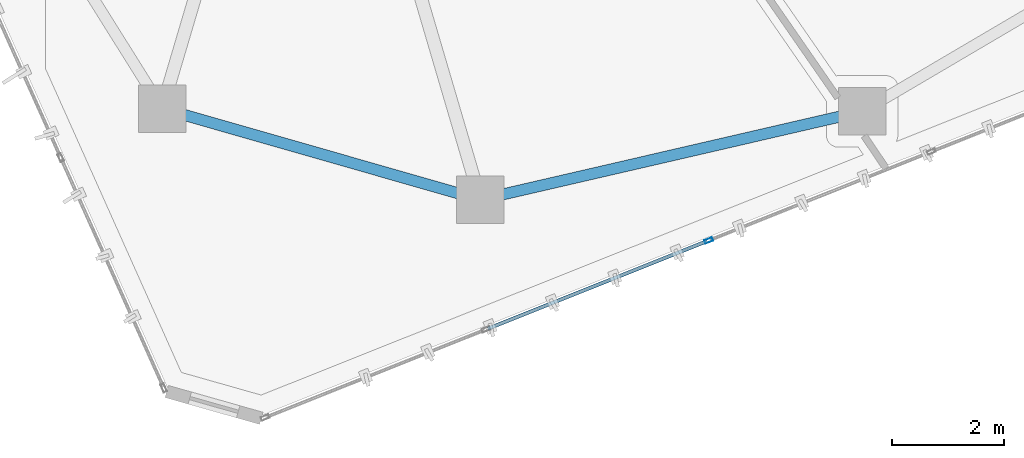
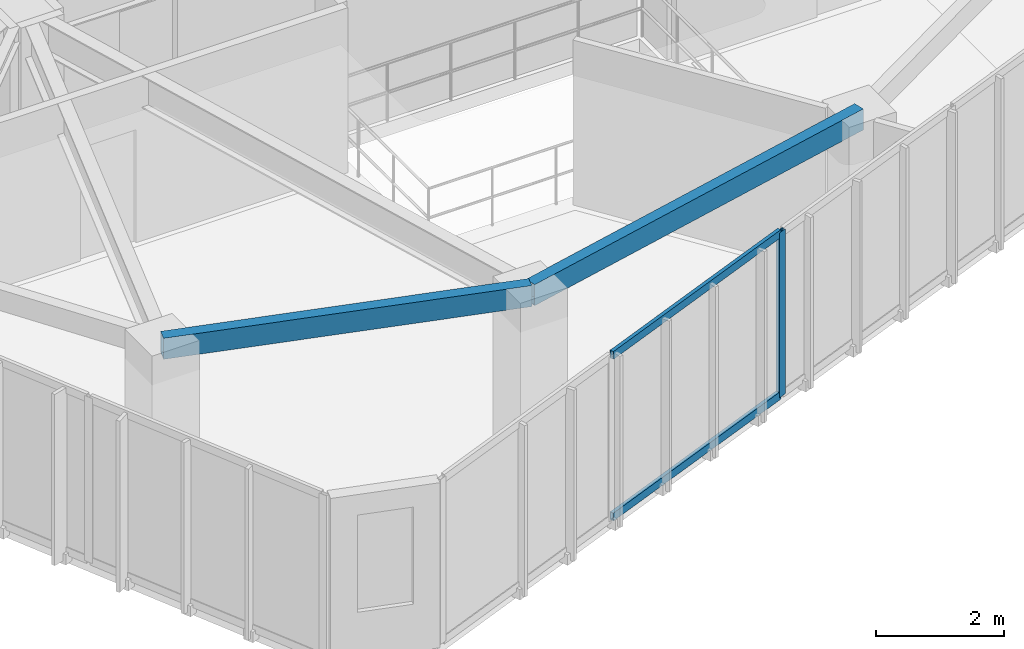
# One storey, part 3 of 20: 3 members, 2 beams, 1 element without a shape of its own.
"""IFC4 building model written with IfcOpenShell, lengths in metres."""

from ifc_helpers import new_model, si_unit, direction, frame, origin, origin_2d, place, context, subcontext, project, spatial, hollow_rectangle, extrude, source, transform, mapped, material, layer, layer_set, material_profile, profile_set, type_object, type_shapes, element, aggregate, save


model = new_model("IFC4")

# Units and contexts
model_context = context("Model", 3, precision=1e-05, world=origin(), true_north=direction((0.0, 1.0)))
body_context = subcontext(model_context, "Body", "Model", "MODEL_VIEW")
ifc_project = project(units=[si_unit("LENGTHUNIT", "METRE"), si_unit("AREAUNIT", "SQUARE_METRE"), si_unit("VOLUMEUNIT", "CUBIC_METRE"), si_unit("PLANEANGLEUNIT", "RADIAN"), si_unit("MASSUNIT", "GRAM", prefix="KILO")], contexts=[model_context])

# Site, building, storey
site_placement = place(None, origin())
site = spatial("IfcSite", under=ifc_project, at=site_placement, CompositionType="ELEMENT")
building_placement = place(site_placement, origin())
building = spatial("IfcBuilding", under=site, at=building_placement, Name="Talar Marvaseh", CompositionType="ELEMENT")
storey_placement = place(building_placement, frame((0.0, 0.0, 278.199951171875)))
storey = spatial("IfcBuildingStorey", under=building, at=storey_placement, Name="L74", CompositionType="ELEMENT", Elevation=278.199951171875)

# Beams
ifc_material_1 = material(Name="Steel S355", Category="steel")
ifc_material_profile_1 = material_profile(ifc_material_1, hollow_rectangle(XDim=0.199951171875, YDim=0.39990234375, WallThickness=0.013916015625, at=origin_2d()), Name="RHS400x200x14")
ifc_profile_set_1 = profile_set([ifc_material_profile_1], Name="Steel S355")
beam_type = type_object("IfcBeamType", Name="Zone 3 Perimeter Spandrel Beam RHS400x200x14", PredefinedType="SPANDREL", material=ifc_profile_set_1)
beam_1_placement = place(storey_placement, frame((28.60498046875, 16.616943359375, 2.93994140625), z_axis=(-0.974361245946, -0.22498924952, 0.0), x_axis=(0.22498924952, -0.974361245946, 0.0)))
element("IfcBeam", 1, at=beam_1_placement, inside=storey, type_object=beam_type, Name="L74 Zone 3 Perimeter Spandrel Beam RHS400x200x14", PredefinedType="SPANDREL", context=body_context, shape_type="SweptSolid", body=[
    extrude(hollow_rectangle(XDim=0.199951171875, YDim=0.39990234375, WallThickness=0.013916015625, at=origin_2d()), origin(), (0.0, 0.0, 1.0), 7.0087890625),
])
beam_2_placement = place(storey_placement, frame((21.77587890625, 15.0400390625, 2.93994140625), z_axis=(-0.961411768303, 0.275113452538, 0.0), x_axis=(-0.275113452538, -0.961411768303, 0.0)))
element("IfcBeam", 2, at=beam_2_placement, inside=storey, type_object=beam_type, Name="L74 Zone 3 Perimeter Spandrel Beam RHS400x200x14", PredefinedType="SPANDREL", context=body_context, shape_type="SweptSolid", body=[
    extrude(hollow_rectangle(XDim=0.199951171875, YDim=0.39990234375, WallThickness=0.013916015625, at=origin_2d()), origin(), (0.0, 0.0, 1.0), 5.917236328125),
])

# Curtain wall, members
ifc_material_2 = material(Name="Architectural Aluminium", Category="aluminium")
ifc_layer = layer(ifc_material_2, 0.179931640625)
ifc_layer_set = layer_set([ifc_layer], Name="Architectural Aluminium")
curtain_wall_type = type_object("IfcCurtainWallType", Name="Unitised High-Wind Sky Curtain Wall Z4", PredefinedType="NOTDEFINED", material=ifc_layer_set)
curtain_wall_placement = place(storey_placement, origin())
curtain_wall = element("IfcCurtainWall", 3, at=curtain_wall_placement, inside=storey, type_object=curtain_wall_type, Name="L74 Unitised High-Wind Sky Curtain Wall Z4", PredefinedType="NOTDEFINED")
ifc_material_profile_2 = material_profile(ifc_material_2, hollow_rectangle(XDim=0.06494140625, YDim=0.14990234375, WallThickness=0.00390625, at=origin_2d()), Name="RHS150x65x4")
ifc_profile_set_2 = profile_set([ifc_material_profile_2], Name="Architectural Aluminium")
member_type_1 = type_object("IfcMemberType", Name="Unitised Curtain Wall Slim Transom RHS150x65x4", PredefinedType="USERDEFINED", material=ifc_profile_set_2)
shared_shape_1 = source(origin(), body_context, "Body", "SweptSolid", [
    extrude(hollow_rectangle(XDim=0.06494140625, YDim=0.14990234375, WallThickness=0.00390625, at=origin_2d()), origin(), (0.0, 0.0, 1.0), 4.22119140625),
])
type_shapes(member_type_1, [shared_shape_1])
member_1_placement = place(storey_placement, frame((25.83056640625, 14.296875, 0.032470703125), z_axis=(-0.92873971376, -0.37073244272, 0.0), x_axis=(0.37073244272, -0.92873971376, 0.0)))
member_1 = element("IfcMember", 4, at=member_1_placement, type_object=member_type_1, Name="CW-Z4 transom 3.1", ObjectType="TRANSOM", PredefinedType="USERDEFINED", context=body_context, shape_type="MappedRepresentation", body=[
    mapped(shared_shape_1, transform((0.0, 0.0, 0.0), x_axis=(1.0, 0.0, 0.0), y_axis=(0.0, 1.0, 0.0), z_axis=(0.0, 0.0, 1.0), scale=1.0)),
])
member_2_placement = place(storey_placement, frame((25.83056640625, 14.296875, 3.107666015625), z_axis=(-0.92873971376, -0.37073244272, 0.0), x_axis=(0.37073244272, -0.92873971376, 0.0)))
member_2 = element("IfcMember", 5, at=member_2_placement, type_object=member_type_1, Name="CW-Z4 transom 3.2", ObjectType="TRANSOM", PredefinedType="USERDEFINED", context=body_context, shape_type="MappedRepresentation", body=[
    mapped(shared_shape_1, transform((0.0, 0.0, 0.0), x_axis=(1.0, 0.0, 0.0), y_axis=(0.0, 1.0, 0.0), z_axis=(0.0, 0.0, 1.0), scale=1.0)),
])
ifc_material_profile_3 = material_profile(ifc_material_2, hollow_rectangle(XDim=0.06494140625, YDim=0.14990234375, WallThickness=0.00390625, at=origin_2d()), Name="RHS150x65x4")
ifc_profile_set_3 = profile_set([ifc_material_profile_3], Name="Architectural Aluminium")
member_type_2 = type_object("IfcMemberType", Name="Unitised Curtain Wall Slim Mullion RHS150x65x4", PredefinedType="MULLION", material=ifc_profile_set_3)
shared_shape_2 = source(origin(), body_context, "Body", "SweptSolid", [
    extrude(hollow_rectangle(XDim=0.06494140625, YDim=0.14990234375, WallThickness=0.00390625, at=origin_2d()), origin(), (0.0, 0.0, 1.0), 3.14013671875),
])
type_shapes(member_type_2, [shared_shape_2])
member_3_placement = place(storey_placement, frame((25.86083984375, 14.308837890625, 0.0), z_axis=(0.0, 0.0, 1.0), x_axis=(0.370701725509, -0.928751974805, 0.0)))
member_3 = element("IfcMember", 6, at=member_3_placement, type_object=member_type_2, Name="CW-Z4 mullion 3", PredefinedType="MULLION", context=body_context, shape_type="MappedRepresentation", body=[
    mapped(shared_shape_2, transform((0.0, 0.0, 0.0), x_axis=(1.0, 0.0, 0.0), y_axis=(0.0, 1.0, 0.0), z_axis=(0.0, 0.0, 1.0), scale=1.0)),
])
aggregate(curtain_wall, [member_3, member_1, member_2])

save(model, "model.ifc")
